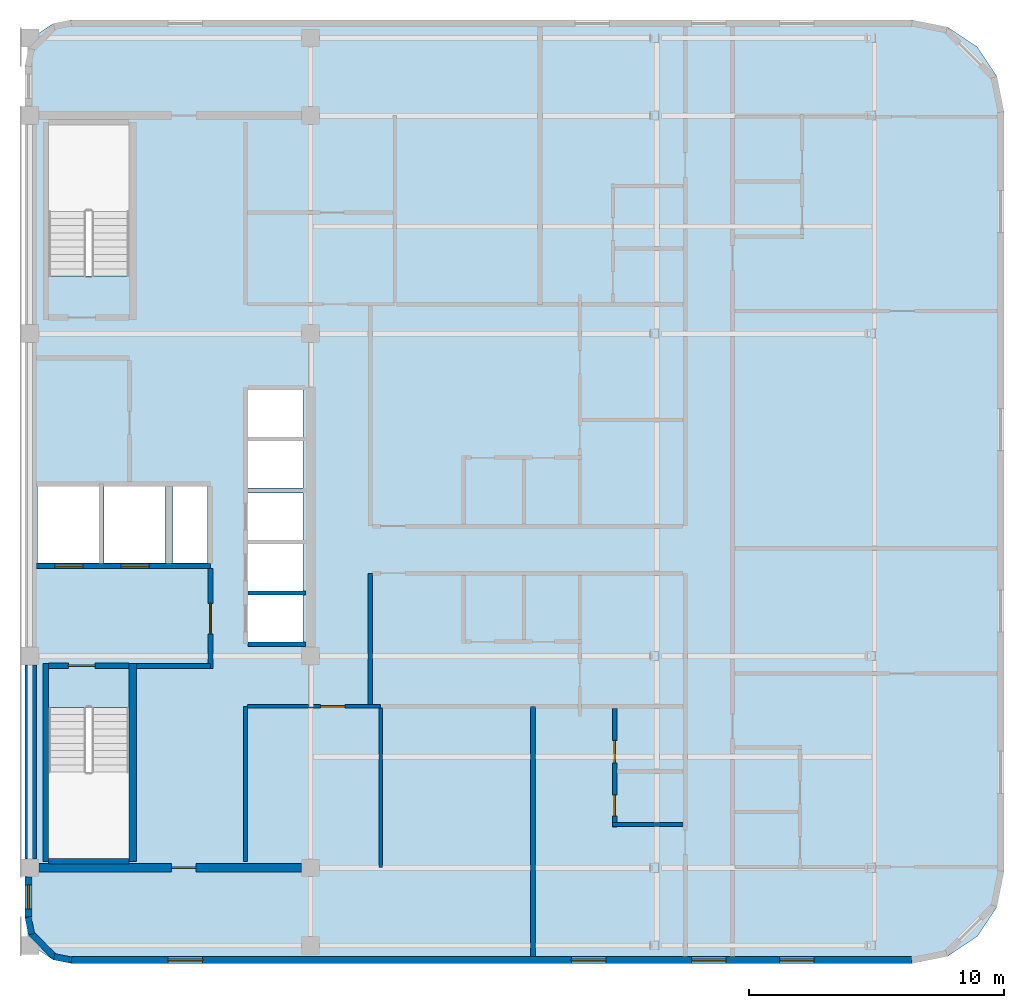
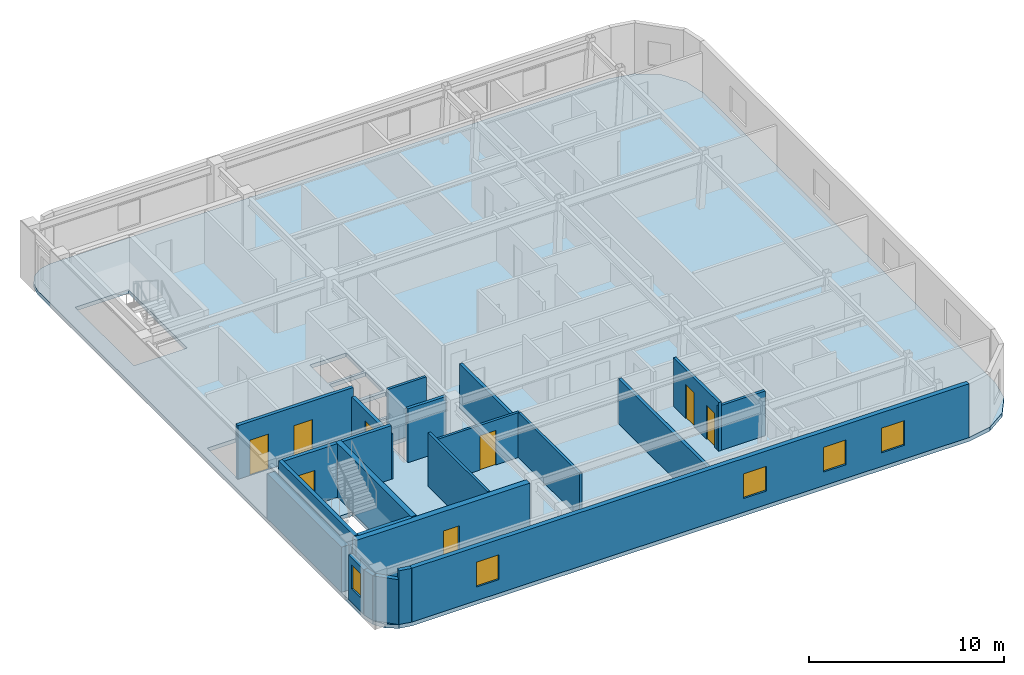
# One storey, part 2 of 6: 23 walls, 8 doors, 5 windows, 1 slab, 13 openings.
"""IFC4 building model written with IfcOpenShell, lengths in metres."""

from ifc_helpers import new_model, si_unit, direction, frame, frame_2d, origin, place, context, subcontext, project, spatial, polyline, rectangle, outline, extrude, material, layer, layer_set, type_object, element, fill, save


model = new_model("IFC4")

# Units and contexts
model_context = context("Model", 3, precision=1e-05, world=origin(), true_north=direction((0.0, 1.0)))
body_context = subcontext(model_context, "Body", "Model", "MODEL_VIEW")
ifc_project = project(units=[si_unit("LENGTHUNIT", "METRE"), si_unit("AREAUNIT", "SQUARE_METRE"), si_unit("VOLUMEUNIT", "CUBIC_METRE"), si_unit("PLANEANGLEUNIT", "RADIAN"), si_unit("MASSUNIT", "GRAM", prefix="KILO")], contexts=[model_context])

# Site, building, storey
site_placement = place(None, origin())
site = spatial("IfcSite", under=ifc_project, at=site_placement, CompositionType="ELEMENT")
building_placement = place(site_placement, origin())
building = spatial("IfcBuilding", under=site, at=building_placement, Name="Ochreholt Gables", CompositionType="ELEMENT")
storey_placement = place(building_placement, frame((0.0, 0.0, 249.60009765625)))
storey = spatial("IfcBuildingStorey", under=building, at=storey_placement, Name="L65", CompositionType="ELEMENT", Elevation=249.60009765625)

# Slab
ifc_material_1 = material(Name="Concrete 40 MPa", Category="concrete")
ifc_layer_1 = layer(ifc_material_1, 0.239990234375, Name="Concrete 40 MPa")
ifc_layer_set_1 = layer_set([ifc_layer_1], Name="Concrete 40 MPa")
slab_type = type_object("IfcSlabType", Name="SLAB-TWR-240", PredefinedType="FLOOR", material=ifc_layer_set_1)
slab_placement = place(storey_placement, frame((0.0, 0.0, -0.239990234375)))
element("IfcSlab", 1, at=slab_placement, inside=storey, type_object=slab_type, Name="L65 Structural Floor Slab", PredefinedType="FLOOR", context=body_context, shape_type="SweptSolid", body=[
    extrude(outline(polyline([(24.0, 7.300048828125), (24.136962890625, 6.611083984375), (24.527099609375, 6.027099609375), (25.111083984375, 5.636962890625), (25.800048828125, 5.5), (58.800048828125, 5.5), (60.177734375, 5.77392578125), (61.345703125, 6.554443359375), (62.1259765625, 7.722412109375), (62.39990234375, 9.10009765625), (62.39990234375, 38.89990234375), (62.1259765625, 40.277587890625), (61.345703125, 41.445556640625), (60.177734375, 42.22607421875), (58.800048828125, 42.5), (25.800048828125, 42.5), (25.111083984375, 42.363037109375), (24.527099609375, 41.972900390625), (24.136962890625, 41.388916015625), (24.0, 40.699951171875), (24.0, 7.300048828125)]), holes=[polyline([(24.919921875, 15.539306640625), (24.919921875, 9.52001953125), (28.080078125, 9.52001953125), (28.080078125, 15.539306640625), (24.919921875, 15.539306640625)]), polyline([(28.080078125, 32.460693359375), (28.080078125, 38.47998046875), (24.919921875, 38.47998046875), (24.919921875, 32.460693359375), (28.080078125, 32.460693359375)]), polyline([(24.5, 21.199951171875), (26.89990234375, 21.199951171875), (26.89990234375, 24.199951171875), (24.5, 24.199951171875), (24.5, 21.199951171875)]), polyline([(27.10009765625, 21.199951171875), (29.5, 21.199951171875), (29.5, 24.199951171875), (27.10009765625, 24.199951171875), (27.10009765625, 21.199951171875)]), polyline([(32.75, 18.10009765625), (34.89990234375, 18.10009765625), (34.89990234375, 19.949951171875), (32.75, 19.949951171875), (32.75, 18.10009765625)]), polyline([(32.75, 20.10009765625), (34.89990234375, 20.10009765625), (34.89990234375, 21.949951171875), (32.75, 21.949951171875), (32.75, 20.10009765625)]), polyline([(32.75, 22.10009765625), (34.89990234375, 22.10009765625), (34.89990234375, 23.949951171875), (32.75, 23.949951171875), (32.75, 22.10009765625)]), polyline([(32.75, 24.14990234375), (34.89990234375, 24.14990234375), (34.89990234375, 26.0), (32.75, 26.0), (32.75, 24.14990234375)]), polyline([(32.75, 26.14990234375), (34.89990234375, 26.14990234375), (34.89990234375, 28.0), (32.75, 28.0), (32.75, 26.14990234375)]), polyline([(29.800048828125, 21.199951171875), (31.14990234375, 21.199951171875), (31.14990234375, 24.199951171875), (29.800048828125, 24.199951171875), (29.800048828125, 21.199951171875)])]), origin(), (0.0, 0.0, 1.0), 0.239990234375),
])

# Wall, opening, door
ifc_material_2 = material(Name="Concrete 50 MPa", Category="concrete")
ifc_layer_2 = layer(ifc_material_2, 0.35009765625, Name="Concrete 50 MPa")
ifc_layer_set_2 = layer_set([ifc_layer_2], Name="Concrete 50 MPa")
wall_type_1 = type_object("IfcWallType", Name="WALL-CSW-350", PredefinedType="SHEAR", material=ifc_layer_set_2)
wall_1_placement = place(storey_placement, frame((24.550048828125, 9.25, 0.0), z_axis=(0.0, 0.0, 1.0), x_axis=(1.0, 0.0, 0.0)))
wall_1 = element("IfcWall", 2, at=wall_1_placement, inside=storey, type_object=wall_type_1, Name="L65 Core South Shear Wall", PredefinedType="SHEAR", context=body_context, shape_type="SweptSolid", body=[
    extrude(rectangle(XDim=10.300048828125, YDim=0.35009765625, at=frame_2d((5.14990234375, 0.0))), origin(), (0.0, 0.0, 1.0), 3.35986328125),
])
opening_1_placement = place(wall_1_placement, frame((5.199951171875, 0.0, 0.0)))
opening_1 = element("IfcOpeningElement", 3, at=opening_1_placement, cuts=wall_1, Name="Opening D-FL2", PredefinedType="OPENING", context=body_context, shape_type="SweptSolid", body=[
    extrude(rectangle(XDim=0.949951171875, YDim=2.14990234375, at=frame_2d((0.47509765625, 1.074951171875))), frame((0.0, 0.18505859375, 0.0), z_axis=(0.0, -1.0, 0.0), x_axis=(1.0, 0.0, 0.0)), (0.0, 0.0, 1.0), 0.3701171875),
])
ifc_material_3 = material(Name="Hollow Metal Steel", Category="steel")
door_type_1 = type_object("IfcDoorType", Name="DR-INT-FLB950", OperationType="NOTDEFINED", PredefinedType="DOOR", material=ifc_material_3)
door_1_placement = place(opening_1_placement, frame((0.949951171875, 0.0, 0.0), z_axis=(0.0, 0.0, 1.0), x_axis=(-1.0, 0.0, 0.0)))
door_1 = element("IfcDoor", 4, at=door_1_placement, inside=storey, type_object=door_type_1, Name="L65 Door D-C3SSL-L65", OperationType="SINGLE_SWING_LEFT", OverallHeight=2.14990234375, OverallWidth=0.949951171875, PredefinedType="DOOR", context=body_context, shape_type="SweptSolid", body=[
    extrude(rectangle(XDim=0.949951171875, YDim=2.14990234375, at=frame_2d((0.47509765625, 1.074951171875))), frame((0.0, 0.02490234375, 0.0), z_axis=(0.0, -1.0, 0.0), x_axis=(1.0, 0.0, 0.0)), (0.0, 0.0, 1.0), 0.050048828125),
])
fill(opening_1, door_1)

# Wall
ifc_layer_3 = layer(ifc_material_2, 0.449951171875, Name="Concrete 50 MPa")
ifc_layer_set_3 = layer_set([ifc_layer_3], Name="Concrete 50 MPa")
wall_type_2 = type_object("IfcWallType", Name="WALL-CSW-EXT", PredefinedType="SHEAR", material=ifc_layer_set_3)
wall_2_placement = place(storey_placement, frame((24.22509765625, 9.60009765625, 0.0), z_axis=(0.0, 0.0, 1.0), x_axis=(0.0, 1.0, 0.0)))
element("IfcWall", 5, at=wall_2_placement, inside=storey, type_object=wall_type_2, Name="L65 Core West Shear Wall WS", PredefinedType="SHEAR", context=body_context, shape_type="SweptSolid", body=[
    extrude(rectangle(XDim=7.599853515625, YDim=0.449951171875, at=frame_2d((3.7998046875, 0.0))), origin(), (0.0, 0.0, 1.0), 2.82080078125),
])

# Wall, openings, windows
ifc_material_4 = material(Name="Precast concrete 40 MPa", Category="concrete")
ifc_layer_4 = layer(ifc_material_4, 0.27001953125, Name="Precast concrete 40 MPa")
ifc_layer_set_4 = layer_set([ifc_layer_4], Name="Precast concrete 40 MPa")
wall_type_3 = type_object("IfcWallType", Name="WALL-EXT-270", PredefinedType="SOLIDWALL", material=ifc_layer_set_4)
wall_3_placement = place(storey_placement, frame((25.820068359375, 5.635009765625, 0.0), z_axis=(0.0, 0.0, 1.0), x_axis=(1.0, 0.0, 0.0)))
wall_3 = element("IfcWall", 6, at=wall_3_placement, inside=storey, type_object=wall_type_3, Name="L65 South Exterior Wall", PredefinedType="SOLIDWALL", context=body_context, shape_type="SweptSolid", body=[
    extrude(rectangle(XDim=32.9599609375, YDim=0.27001953125, at=frame_2d((16.47998046875, 0.0))), origin(), (0.0, 0.0, 1.0), 3.35986328125),
])
opening_2_placement = place(wall_3_placement, frame((3.794921875, 0.0, 0.85009765625)))
opening_2 = element("IfcOpeningElement", 7, at=opening_2_placement, cuts=wall_3, Name="Opening WN-8", PredefinedType="OPENING", context=body_context, shape_type="SweptSolid", body=[
    extrude(rectangle(XDim=1.35009765625, YDim=1.550048828125, at=frame_2d((0.675048828125, 0.77490234375))), frame((0.0, 0.14501953125, 0.0), z_axis=(0.0, -1.0, 0.0), x_axis=(1.0, 0.0, 0.0)), (0.0, 0.0, 1.0), 0.2900390625),
])
opening_3_placement = place(wall_3_placement, frame((19.614990234375, 0.0, 0.85009765625)))
opening_3 = element("IfcOpeningElement", 8, at=opening_3_placement, cuts=wall_3, Name="Opening WN-8", PredefinedType="OPENING", context=body_context, shape_type="SweptSolid", body=[
    extrude(rectangle(XDim=1.35009765625, YDim=1.550048828125, at=frame_2d((0.675048828125, 0.77490234375))), frame((0.0, 0.14501953125, 0.0), z_axis=(0.0, -1.0, 0.0), x_axis=(1.0, 0.0, 0.0)), (0.0, 0.0, 1.0), 0.2900390625),
])
opening_4_placement = place(wall_3_placement, frame((24.330078125, 0.0, 0.85009765625)))
opening_4 = element("IfcOpeningElement", 9, at=opening_4_placement, cuts=wall_3, Name="Opening WN-8", PredefinedType="OPENING", context=body_context, shape_type="SweptSolid", body=[
    extrude(rectangle(XDim=1.35009765625, YDim=1.550048828125, at=frame_2d((0.675048828125, 0.77490234375))), frame((0.0, 0.14501953125, 0.0), z_axis=(0.0, -1.0, 0.0), x_axis=(1.0, 0.0, 0.0)), (0.0, 0.0, 1.0), 0.2900390625),
])
opening_5_placement = place(wall_3_placement, frame((27.779052734375, 0.0, 0.85009765625)))
opening_5 = element("IfcOpeningElement", 10, at=opening_5_placement, cuts=wall_3, Name="Opening WN-8", PredefinedType="OPENING", context=body_context, shape_type="SweptSolid", body=[
    extrude(rectangle(XDim=1.35009765625, YDim=1.550048828125, at=frame_2d((0.675048828125, 0.77490234375))), frame((0.0, 0.14501953125, 0.0), z_axis=(0.0, -1.0, 0.0), x_axis=(1.0, 0.0, 0.0)), (0.0, 0.0, 1.0), 0.2900390625),
])
ifc_material_5 = material(Name="Triple-Glazed Thermally Broken Aluminium Window", Category="aluminium")
window_type_1 = type_object("IfcWindowType", Name="WIN-RES-1350", PartitioningType="SINGLE_PANEL", PredefinedType="WINDOW", material=ifc_material_5)
window_1_placement = place(opening_2_placement, origin())
window_1 = element("IfcWindow", 11, at=window_1_placement, inside=storey, type_object=window_type_1, Name="L65 Window W-EXT-S-L65-1", OverallHeight=1.550048828125, OverallWidth=1.35009765625, PartitioningType="SINGLE_PANEL", PredefinedType="WINDOW", context=body_context, shape_type="SweptSolid", body=[
    extrude(rectangle(XDim=1.35009765625, YDim=1.550048828125, at=frame_2d((0.675048828125, 0.77490234375))), frame((0.0, 0.030029296875, 0.0), z_axis=(0.0, -1.0, 0.0), x_axis=(1.0, 0.0, 0.0)), (0.0, 0.0, 1.0), 0.06005859375),
])
fill(opening_2, window_1)
window_2_placement = place(opening_3_placement, origin())
window_2 = element("IfcWindow", 12, at=window_2_placement, inside=storey, type_object=window_type_1, Name="L65 Window W-EXT-S-L65-2", OverallHeight=1.550048828125, OverallWidth=1.35009765625, PartitioningType="SINGLE_PANEL", PredefinedType="WINDOW", context=body_context, shape_type="SweptSolid", body=[
    extrude(rectangle(XDim=1.35009765625, YDim=1.550048828125, at=frame_2d((0.675048828125, 0.77490234375))), frame((0.0, 0.030029296875, 0.0), z_axis=(0.0, -1.0, 0.0), x_axis=(1.0, 0.0, 0.0)), (0.0, 0.0, 1.0), 0.06005859375),
])
fill(opening_3, window_2)
window_3_placement = place(opening_4_placement, origin())
window_3 = element("IfcWindow", 13, at=window_3_placement, inside=storey, type_object=window_type_1, Name="L65 Window W-EXT-S-L65-3", OverallHeight=1.550048828125, OverallWidth=1.35009765625, PartitioningType="SINGLE_PANEL", PredefinedType="WINDOW", context=body_context, shape_type="SweptSolid", body=[
    extrude(rectangle(XDim=1.35009765625, YDim=1.550048828125, at=frame_2d((0.675048828125, 0.77490234375))), frame((0.0, 0.030029296875, 0.0), z_axis=(0.0, -1.0, 0.0), x_axis=(1.0, 0.0, 0.0)), (0.0, 0.0, 1.0), 0.06005859375),
])
fill(opening_4, window_3)
window_4_placement = place(opening_5_placement, origin())
window_4 = element("IfcWindow", 14, at=window_4_placement, inside=storey, type_object=window_type_1, Name="L65 Window W-EXT-S-L65-4", OverallHeight=1.550048828125, OverallWidth=1.35009765625, PartitioningType="SINGLE_PANEL", PredefinedType="WINDOW", context=body_context, shape_type="SweptSolid", body=[
    extrude(rectangle(XDim=1.35009765625, YDim=1.550048828125, at=frame_2d((0.675048828125, 0.77490234375))), frame((0.0, 0.030029296875, 0.0), z_axis=(0.0, -1.0, 0.0), x_axis=(1.0, 0.0, 0.0)), (0.0, 0.0, 1.0), 0.06005859375),
])
fill(opening_5, window_4)

# Wall, opening, window
wall_4_placement = place(storey_placement, frame((24.135009765625, 7.320068359375, 0.0), z_axis=(0.0, 0.0, 1.0), x_axis=(0.0, 1.0, 0.0)))
wall_4 = element("IfcWall", 15, at=wall_4_placement, inside=storey, type_object=wall_type_3, Name="L65 West Facade South Bay Wall", PredefinedType="SOLIDWALL", context=body_context, shape_type="SweptSolid", body=[
    extrude(rectangle(XDim=1.559814453125, YDim=0.27001953125, at=frame_2d((0.77978515625, 0.0))), origin(), (0.0, 0.0, 1.0), 2.802978515625),
])
opening_6_placement = place(wall_4_placement, frame((0.304931640625, 0.0, 0.85009765625)))
opening_6 = element("IfcOpeningElement", 16, at=opening_6_placement, cuts=wall_4, Name="Opening WN-10", PredefinedType="OPENING", context=body_context, shape_type="SweptSolid", body=[
    extrude(rectangle(XDim=0.949951171875, YDim=1.5, at=frame_2d((0.47509765625, 0.75))), frame((0.0, 0.14501953125, 0.0), z_axis=(0.0, -1.0, 0.0), x_axis=(1.0, 0.0, 0.0)), (0.0, 0.0, 1.0), 0.2900390625),
])
window_type_2 = type_object("IfcWindowType", Name="WIN-RES-950", PartitioningType="SINGLE_PANEL", PredefinedType="WINDOW", material=ifc_material_5)
window_5_placement = place(opening_6_placement, origin())
window_5 = element("IfcWindow", 17, at=window_5_placement, inside=storey, type_object=window_type_2, Name="L65 South Sky Lounge West Window", OverallHeight=1.5, OverallWidth=0.949951171875, PartitioningType="SINGLE_PANEL", PredefinedType="WINDOW", context=body_context, shape_type="SweptSolid", body=[
    extrude(rectangle(XDim=0.949951171875, YDim=1.5, at=frame_2d((0.47509765625, 0.75))), frame((0.0, 0.030029296875, 0.0), z_axis=(0.0, -1.0, 0.0), x_axis=(1.0, 0.0, 0.0)), (0.0, 0.0, 1.0), 0.06005859375),
])
fill(opening_6, window_5)

# Walls
ifc_layer_5 = layer(ifc_material_4, 0.25, Name="Precast concrete 40 MPa")
ifc_layer_set_5 = layer_set([ifc_layer_5], Name="Precast concrete 40 MPa")
wall_type_4 = type_object("IfcWallType", Name="WALL-EXT-CNR", PredefinedType="SOLIDWALL", material=ifc_layer_set_5)
wall_5_placement = place(storey_placement, frame((24.124267578125, 7.31640625, 0.0), z_axis=(0.0, 0.0, 1.0), x_axis=(0.194952956674, -0.980812594069, 0.0)))
element("IfcWall", 18, at=wall_5_placement, inside=storey, type_object=wall_type_4, Name="L65 Rounded Corner Wall SW-1", PredefinedType="SOLIDWALL", context=body_context, shape_type="SweptSolid", body=[
    extrude(rectangle(XDim=0.686279296875, YDim=0.25, at=frame_2d((0.34326171875, 0.0))), origin(), (0.0, 0.0, 1.0), 2.802978515625),
])
wall_6_placement = place(storey_placement, frame((24.23095703125, 6.69384765625, 0.0), z_axis=(0.0, 0.0, 1.0), x_axis=(0.707106781187, -0.707106781187, 0.0)))
element("IfcWall", 19, at=wall_6_placement, inside=storey, type_object=wall_type_4, Name="L65 Rounded Corner Wall SW-2", PredefinedType="SOLIDWALL", context=body_context, shape_type="SweptSolid", body=[
    extrude(rectangle(XDim=1.36181640625, YDim=0.25, at=frame_2d((0.680908203125, 0.0))), origin(), (0.0, 0.0, 1.0), 2.802978515625),
])
wall_7_placement = place(storey_placement, frame((25.143310546875, 5.758056640625, 0.0), z_axis=(0.0, 0.0, 1.0), x_axis=(0.980812594069, -0.194952956674, 0.0)))
element("IfcWall", 20, at=wall_7_placement, inside=storey, type_object=wall_type_4, Name="L65 Rounded Corner Wall SW-3", PredefinedType="SOLIDWALL", context=body_context, shape_type="SweptSolid", body=[
    extrude(rectangle(XDim=0.686279296875, YDim=0.25, at=frame_2d((0.34326171875, 0.0))), origin(), (0.0, 0.0, 1.0), 3.35986328125),
])

# Wall, openings, doors
ifc_layer_6 = layer(ifc_material_1, 0.199951171875, Name="Concrete 40 MPa")
ifc_layer_set_6 = layer_set([ifc_layer_6], Name="Concrete 40 MPa")
wall_type_5 = type_object("IfcWallType", Name="WALL-INT-CF200", PredefinedType="STANDARD", material=ifc_layer_set_6)
wall_8_placement = place(storey_placement, frame((24.449951171875, 21.090087890625, 0.0), z_axis=(0.0, 0.0, 1.0), x_axis=(1.0, 0.0, 0.0)))
wall_8 = element("IfcWall", 21, at=wall_8_placement, inside=storey, type_object=wall_type_5, Name="L65 Interior Wall WI-FFN-L65", PredefinedType="STANDARD", context=body_context, shape_type="SweptSolid", body=[
    extrude(rectangle(XDim=6.830078125, YDim=0.199951171875, at=frame_2d((3.4150390625, 0.0))), origin(), (0.0, 0.0, 1.0), 3.35986328125),
])
opening_7_placement = place(wall_8_placement, frame((0.719970703125, 0.0, 0.0)))
opening_7 = element("IfcOpeningElement", 22, at=opening_7_placement, cuts=wall_8, Name="Opening LD-FF", PredefinedType="OPENING", context=body_context, shape_type="SweptSolid", body=[
    extrude(rectangle(XDim=1.10009765625, YDim=2.199951171875, at=frame_2d((0.550048828125, 1.10009765625))), frame((0.0, 0.10986328125, 0.0), z_axis=(0.0, -1.0, 0.0), x_axis=(1.0, 0.0, 0.0)), (0.0, 0.0, 1.0), 0.219970703125),
])
opening_8_placement = place(wall_8_placement, frame((3.320068359375, 0.0, 0.0)))
opening_8 = element("IfcOpeningElement", 23, at=opening_8_placement, cuts=wall_8, Name="Opening LD-FF", PredefinedType="OPENING", context=body_context, shape_type="SweptSolid", body=[
    extrude(rectangle(XDim=1.10009765625, YDim=2.199951171875, at=frame_2d((0.550048828125, 1.10009765625))), frame((0.0, 0.10986328125, 0.0), z_axis=(0.0, -1.0, 0.0), x_axis=(1.0, 0.0, 0.0)), (0.0, 0.0, 1.0), 0.219970703125),
])
ifc_material_6 = material(Name="Stainless Steel", Category="steel")
door_type_2 = type_object("IfcDoorType", Name="DR-LFT-FF1100", OperationType="NOTDEFINED", PredefinedType="DOOR", material=ifc_material_6)
door_2_placement = place(opening_7_placement, origin())
door_2 = element("IfcDoor", 24, at=door_2_placement, inside=storey, type_object=door_type_2, Name="L65 Door LD-FF1-L65", OperationType="SLIDING_TO_LEFT", OverallHeight=2.199951171875, OverallWidth=1.10009765625, PredefinedType="DOOR", context=body_context, shape_type="SweptSolid", body=[
    extrude(rectangle(XDim=1.10009765625, YDim=2.199951171875, at=frame_2d((0.550048828125, 1.10009765625))), frame((0.0, 0.02490234375, 0.0), z_axis=(0.0, -1.0, 0.0), x_axis=(1.0, 0.0, 0.0)), (0.0, 0.0, 1.0), 0.050048828125),
])
fill(opening_7, door_2)
door_3_placement = place(opening_8_placement, origin())
door_3 = element("IfcDoor", 25, at=door_3_placement, inside=storey, type_object=door_type_2, Name="L65 Door LD-FF2-L65", OperationType="SLIDING_TO_LEFT", OverallHeight=2.199951171875, OverallWidth=1.10009765625, PredefinedType="DOOR", context=body_context, shape_type="SweptSolid", body=[
    extrude(rectangle(XDim=1.10009765625, YDim=2.199951171875, at=frame_2d((0.550048828125, 1.10009765625))), frame((0.0, 0.02490234375, 0.0), z_axis=(0.0, -1.0, 0.0), x_axis=(1.0, 0.0, 0.0)), (0.0, 0.0, 1.0), 0.050048828125),
])
fill(opening_8, door_3)

# Wall
wall_9_placement = place(storey_placement, frame((28.3798828125, 17.169921875, 0.0), z_axis=(0.0, 0.0, 1.0), x_axis=(1.0, 0.0, 0.0)))
element("IfcWall", 26, at=wall_9_placement, inside=storey, type_object=wall_type_5, Name="L65 Interior Wall WI-FFS-L65", PredefinedType="STANDARD", context=body_context, shape_type="SweptSolid", body=[
    extrude(rectangle(XDim=2.900146484375, YDim=0.199951171875, at=frame_2d((1.4501953125, 0.0))), origin(), (0.0, 0.0, 1.0), 3.35986328125),
])

# Wall, opening, door
wall_10_placement = place(storey_placement, frame((31.280029296875, 17.070068359375, 0.0), z_axis=(0.0, 0.0, 1.0), x_axis=(0.0, 1.0, 0.0)))
wall_10 = element("IfcWall", 27, at=wall_10_placement, inside=storey, type_object=wall_type_5, Name="L65 Interior Wall WI-FFE-L65", PredefinedType="STANDARD", context=body_context, shape_type="SweptSolid", body=[
    extrude(rectangle(XDim=3.919921875, YDim=0.199951171875, at=frame_2d((1.9599609375, 0.0))), origin(), (0.0, 0.0, 1.0), 2.802978515625),
])
opening_9_placement = place(wall_10_placement, frame((1.35009765625, 0.0, 0.0)))
opening_9 = element("IfcOpeningElement", 28, at=opening_9_placement, cuts=wall_10, Name="Opening D-FFL", PredefinedType="OPENING", context=body_context, shape_type="SweptSolid", body=[
    extrude(rectangle(XDim=1.199951171875, YDim=2.14990234375, at=frame_2d((0.60009765625, 1.074951171875))), frame((0.0, 0.10986328125, 0.0), z_axis=(0.0, -1.0, 0.0), x_axis=(1.0, 0.0, 0.0)), (0.0, 0.0, 1.0), 0.219970703125),
])
door_type_3 = type_object("IfcDoorType", Name="DR-INT-FFL1200", OperationType="NOTDEFINED", PredefinedType="DOOR", material=ifc_material_3)
door_4_placement = place(opening_9_placement, origin())
door_4 = element("IfcDoor", 29, at=door_4_placement, inside=storey, type_object=door_type_3, Name="L65 Door D-FFL-L65", OperationType="SINGLE_SWING_LEFT", OverallHeight=2.14990234375, OverallWidth=1.199951171875, PredefinedType="DOOR", context=body_context, shape_type="SweptSolid", body=[
    extrude(rectangle(XDim=1.199951171875, YDim=2.14990234375, at=frame_2d((0.60009765625, 1.074951171875))), frame((0.0, 0.02490234375, 0.0), z_axis=(0.0, -1.0, 0.0), x_axis=(1.0, 0.0, 0.0)), (0.0, 0.0, 1.0), 0.050048828125),
])
fill(opening_9, door_4)

# Walls
ifc_material_7 = material(Name="Fire-Rated Gypsum Acoustic Partition", Category="gypsum")
ifc_layer_7 = layer(ifc_material_7, 0.179931640625, Name="Fire-Rated Gypsum Acoustic Partition")
ifc_layer_set_7 = layer_set([ifc_layer_7], Name="Fire-Rated Gypsum Acoustic Partition")
wall_type_6 = type_object("IfcWallType", Name="WALL-INT-CR180", PredefinedType="STANDARD", material=ifc_layer_set_7)
wall_11_placement = place(storey_placement, frame((37.550048828125, 15.652587890625, 0.0), z_axis=(0.0, 0.0, 1.0), x_axis=(0.0, 1.0, 0.0)))
element("IfcWall", 30, at=wall_11_placement, inside=storey, type_object=wall_type_6, Name="L65 Interior Wall WI-C3CE0-L65", PredefinedType="STANDARD", context=body_context, shape_type="SweptSolid", body=[
    extrude(rectangle(XDim=5.1474609375, YDim=0.179931640625, at=frame_2d((2.57373046875, 0.0))), origin(), (0.0, 0.0, 1.0), 2.802978515625),
])
ifc_material_8 = material(Name="Double-Stud Acoustic Demising Wall", Category="gypsum")
ifc_layer_8 = layer(ifc_material_8, 0.18505859375, Name="Double-Stud Acoustic Demising Wall")
ifc_layer_set_8 = layer_set([ifc_layer_8], Name="Double-Stud Acoustic Demising Wall")
wall_type_7 = type_object("IfcWallType", Name="WALL-INT-DM185", PredefinedType="PARTITIONING", material=ifc_layer_set_8)
wall_12_placement = place(storey_placement, frame((43.925048828125, 5.77001953125, 0.0), z_axis=(0.0, 0.0, 1.0), x_axis=(0.0, 1.0, 0.0)))
element("IfcWall", 31, at=wall_12_placement, inside=storey, type_object=wall_type_7, Name="L65 Interior Wall WI-C3SMX-L65", PredefinedType="PARTITIONING", context=body_context, shape_type="SweptSolid", body=[
    extrude(rectangle(XDim=9.81005859375, YDim=0.18505859375, at=frame_2d((4.905029296875, 0.0))), origin(), (0.0, 0.0, 1.0), 2.802978515625),
])
ifc_material_9 = material(Name="Moisture-Resistant Plumbing Chase Wall", Category="gypsum")
ifc_layer_9 = layer(ifc_material_9, 0.159912109375, Name="Moisture-Resistant Plumbing Chase Wall")
ifc_layer_set_9 = layer_set([ifc_layer_9], Name="Moisture-Resistant Plumbing Chase Wall")
wall_type_8 = type_object("IfcWallType", Name="WALL-INT-PL160", PredefinedType="PLUMBINGWALL", material=ifc_layer_set_9)
wall_13_placement = place(storey_placement, frame((47.052001953125, 10.93994140625, 0.0), z_axis=(0.0, 0.0, 1.0), x_axis=(1.0, 0.0, 0.0)))
element("IfcWall", 32, at=wall_13_placement, inside=storey, type_object=wall_type_8, Name="L65 Interior Wall WU-L65SM1-WYS", PredefinedType="PLUMBINGWALL", context=body_context, shape_type="SweptSolid", body=[
    extrude(rectangle(XDim=2.758056640625, YDim=0.159912109375, at=frame_2d((1.37890625, 0.0))), origin(), (0.0, 0.0, 1.0), 2.802978515625),
])

# Wall, openings, doors
wall_14_placement = place(storey_placement, frame((47.132080078125, 10.85009765625, 0.0), z_axis=(0.0, 0.0, 1.0), x_axis=(0.0, 1.0, 0.0)))
wall_14 = element("IfcWall", 33, at=wall_14_placement, inside=storey, type_object=wall_type_8, Name="L65 Interior Wall WU-L65SM1-WX", PredefinedType="PLUMBINGWALL", context=body_context, shape_type="SweptSolid", body=[
    extrude(rectangle(XDim=4.637451171875, YDim=0.159912109375, at=frame_2d((2.31884765625, 0.0))), origin(), (0.0, 0.0, 1.0), 3.038818359375),
])
opening_10_placement = place(wall_14_placement, frame((0.419921875, 0.0, 0.0)))
opening_10 = element("IfcOpeningElement", 34, at=opening_10_placement, cuts=wall_14, Name="Opening D-BT2", PredefinedType="OPENING", context=body_context, shape_type="SweptSolid", body=[
    extrude(rectangle(XDim=0.840087890625, YDim=2.1201171875, at=frame_2d((0.419921875, 1.06005859375))), frame((0.0, 0.08984375, 0.0), z_axis=(0.0, -1.0, 0.0), x_axis=(1.0, 0.0, 0.0)), (0.0, 0.0, 1.0), 0.179931640625),
])
opening_11_placement = place(wall_14_placement, frame((2.512939453125, 0.0, 0.0)))
opening_11 = element("IfcOpeningElement", 35, at=opening_11_placement, cuts=wall_14, Name="Opening D-GN2", PredefinedType="OPENING", context=body_context, shape_type="SweptSolid", body=[
    extrude(rectangle(XDim=0.8798828125, YDim=2.1201171875, at=frame_2d((0.43994140625, 1.06005859375))), frame((0.0, 0.08984375, 0.0), z_axis=(0.0, -1.0, 0.0), x_axis=(1.0, 0.0, 0.0)), (0.0, 0.0, 1.0), 0.179931640625),
])
ifc_material_10 = material(Name="Engineered Oak Timber", Category="wood")
door_type_4 = type_object("IfcDoorType", Name="DR-INT-BTH840", OperationType="NOTDEFINED", PredefinedType="DOOR", material=ifc_material_10)
door_5_placement = place(opening_10_placement, origin())
door_5 = element("IfcDoor", 36, at=door_5_placement, inside=storey, type_object=door_type_4, Name="L65 Door D-U-L65SM1-BTH", OperationType="SINGLE_SWING_LEFT", OverallHeight=2.1201171875, OverallWidth=0.840087890625, PredefinedType="DOOR", context=body_context, shape_type="SweptSolid", body=[
    extrude(rectangle(XDim=0.840087890625, YDim=2.1201171875, at=frame_2d((0.419921875, 1.06005859375))), frame((0.0, 0.02490234375, 0.0), z_axis=(0.0, -1.0, 0.0), x_axis=(1.0, 0.0, 0.0)), (0.0, 0.0, 1.0), 0.050048828125),
])
fill(opening_10, door_5)
door_type_5 = type_object("IfcDoorType", Name="DR-INT-GEN880", OperationType="NOTDEFINED", PredefinedType="DOOR", material=ifc_material_10)
door_6_placement = place(opening_11_placement, origin())
door_6 = element("IfcDoor", 37, at=door_6_placement, inside=storey, type_object=door_type_5, Name="L65 Door D-U-L65SM1-KIT", OperationType="SINGLE_SWING_RIGHT", OverallHeight=2.1201171875, OverallWidth=0.8798828125, PredefinedType="DOOR", context=body_context, shape_type="SweptSolid", body=[
    extrude(rectangle(XDim=0.8798828125, YDim=2.1201171875, at=frame_2d((0.43994140625, 1.06005859375))), frame((0.0, 0.02490234375, 0.0), z_axis=(0.0, -1.0, 0.0), x_axis=(1.0, 0.0, 0.0)), (0.0, 0.0, 1.0), 0.050048828125),
])
fill(opening_11, door_6)

# Wall
ifc_material_11 = material(Name="Lightweight Stud Partition", Category="gypsum")
ifc_layer_10 = layer(ifc_material_11, 0.14501953125, Name="Lightweight Stud Partition")
ifc_layer_set_10 = layer_set([ifc_layer_10], Name="Lightweight Stud Partition")
wall_type_9 = type_object("IfcWallType", Name="WALL-INT-PT145", PredefinedType="PARTITIONING", material=ifc_layer_set_10)
wall_15_placement = place(storey_placement, frame((32.64990234375, 9.5, 0.0), z_axis=(0.0, 0.0, 1.0), x_axis=(0.0, 1.0, 0.0)))
element("IfcWall", 38, at=wall_15_placement, inside=storey, type_object=wall_type_9, Name="L65 Interior Wall WI-RCL-W-L65", PredefinedType="PARTITIONING", context=body_context, shape_type="SweptSolid", body=[
    extrude(rectangle(XDim=6.080078125, YDim=0.14501953125, at=frame_2d((3.0400390625, 0.0))), origin(), (0.0, 0.0, 1.0), 3.35986328125),
])

# Wall, opening, door
wall_16_placement = place(storey_placement, frame((32.722412109375, 15.580078125, 0.0), z_axis=(0.0, 0.0, 1.0), x_axis=(1.0, 0.0, 0.0)))
wall_16 = element("IfcWall", 39, at=wall_16_placement, inside=storey, type_object=wall_type_9, Name="L65 Interior Wall WI-RCL-N-L65", PredefinedType="PARTITIONING", context=body_context, shape_type="SweptSolid", body=[
    extrude(rectangle(XDim=5.2275390625, YDim=0.14501953125, at=frame_2d((2.61376953125, 0.0))), origin(), (0.0, 0.0, 1.0), 2.802978515625),
])
opening_12_placement = place(wall_16_placement, frame((2.87744140625, 0.0, 0.0)))
opening_12 = element("IfcOpeningElement", 40, at=opening_12_placement, cuts=wall_16, Name="Opening D-GN1", PredefinedType="OPENING", context=body_context, shape_type="SweptSolid", body=[
    extrude(rectangle(XDim=0.949951171875, YDim=2.14990234375, at=frame_2d((0.47509765625, 1.074951171875))), frame((0.0, 0.08251953125, 0.0), z_axis=(0.0, -1.0, 0.0), x_axis=(1.0, 0.0, 0.0)), (0.0, 0.0, 1.0), 0.1650390625),
])
door_type_6 = type_object("IfcDoorType", Name="DR-INT-GEN950", OperationType="NOTDEFINED", PredefinedType="DOOR", material=ifc_material_10)
door_7_placement = place(opening_12_placement, origin())
door_7 = element("IfcDoor", 41, at=door_7_placement, inside=storey, type_object=door_type_6, Name="L65 Door D-RCL-L65", OperationType="SINGLE_SWING_LEFT", OverallHeight=2.14990234375, OverallWidth=0.949951171875, PredefinedType="DOOR", context=body_context, shape_type="SweptSolid", body=[
    extrude(rectangle(XDim=0.949951171875, YDim=2.14990234375, at=frame_2d((0.47509765625, 1.074951171875))), frame((0.0, 0.02490234375, 0.0), z_axis=(0.0, -1.0, 0.0), x_axis=(1.0, 0.0, 0.0)), (0.0, 0.0, 1.0), 0.050048828125),
])
fill(opening_12, door_7)

# Walls
wall_17_placement = place(storey_placement, frame((37.949951171875, 9.25, 0.0), z_axis=(0.0, 0.0, 1.0), x_axis=(0.0, 1.0, 0.0)))
element("IfcWall", 42, at=wall_17_placement, inside=storey, type_object=wall_type_9, Name="L65 Interior Wall WI-RCL-E-L65", PredefinedType="PARTITIONING", context=body_context, shape_type="SweptSolid", body=[
    extrude(rectangle(XDim=6.257568359375, YDim=0.14501953125, at=frame_2d((3.12890625, 0.0))), origin(), (0.0, 0.0, 1.0), 2.802978515625),
])
ifc_material_12 = material(Name="Gypsum Shaftliner and Steel Stud", Category="steel")
ifc_layer_11 = layer(ifc_material_12, 0.14990234375, Name="Gypsum Shaftliner and Steel Stud")
ifc_layer_set_11 = layer_set([ifc_layer_11], Name="Gypsum Shaftliner and Steel Stud")
wall_type_10 = type_object("IfcWallType", Name="WALL-INT-SH150", PredefinedType="STANDARD", material=ifc_layer_set_11)
wall_18_placement = place(storey_placement, frame((32.739990234375, 20.02001953125, 0.0), z_axis=(0.0, 0.0, 1.0), x_axis=(1.0, 0.0, 0.0)))
element("IfcWall", 43, at=wall_18_placement, inside=storey, type_object=wall_type_10, Name="L65 Interior Wall WI-LFHE-DH1-L65", PredefinedType="STANDARD", context=body_context, shape_type="SweptSolid", body=[
    extrude(rectangle(XDim=2.260009765625, YDim=0.14990234375, at=frame_2d((1.1298828125, 0.0))), origin(), (0.0, 0.0, 1.0), 3.35986328125),
])
ifc_layer_12 = layer(ifc_material_12, 0.179931640625, Name="Gypsum Shaftliner and Steel Stud")
ifc_layer_set_12 = layer_set([ifc_layer_12], Name="Gypsum Shaftliner and Steel Stud")
wall_type_11 = type_object("IfcWallType", Name="WALL-INT-SH180", PredefinedType="STANDARD", material=ifc_layer_set_12)
wall_19_placement = place(storey_placement, frame((32.739990234375, 18.02001953125, 0.0), z_axis=(0.0, 0.0, 1.0), x_axis=(1.0, 0.0, 0.0)))
element("IfcWall", 44, at=wall_19_placement, inside=storey, type_object=wall_type_11, Name="L65 Interior Wall WI-LFHE-S-L65", PredefinedType="STANDARD", context=body_context, shape_type="SweptSolid", body=[
    extrude(rectangle(XDim=2.260009765625, YDim=0.179931640625, at=frame_2d((1.1298828125, 0.0))), origin(), (0.0, 0.0, 1.0), 3.35986328125),
])
ifc_material_13 = material(Name="Concrete 60 MPa", Category="concrete")
ifc_layer_13 = layer(ifc_material_13, 0.300048828125, Name="Concrete 60 MPa")
ifc_layer_set_13 = layer_set([ifc_layer_13], Name="Concrete 60 MPa")
wall_type_12 = type_object("IfcWallType", Name="WALL-SPN-300", PredefinedType="SHEAR", material=ifc_layer_set_13)
wall_20_placement = place(storey_placement, frame((28.22998046875, 9.5, 0.0), z_axis=(0.0, 0.0, 1.0), x_axis=(0.0, 1.0, 0.0)))
element("IfcWall", 45, at=wall_20_placement, inside=storey, type_object=wall_type_12, Name="L65 Core South Spine Shear Wall", PredefinedType="SHEAR", context=body_context, shape_type="SweptSolid", body=[
    extrude(rectangle(XDim=7.760009765625, YDim=0.300048828125, at=frame_2d((3.8798828125, 0.0))), origin(), (0.0, 0.0, 1.0), 3.35986328125),
])
ifc_layer_14 = layer(ifc_material_2, 0.219970703125, Name="Concrete 50 MPa")
ifc_layer_set_14 = layer_set([ifc_layer_14], Name="Concrete 50 MPa")
wall_type_13 = type_object("IfcWallType", Name="WALL-STW-220", PredefinedType="SHEAR", material=ifc_layer_set_14)
wall_21_placement = place(storey_placement, frame((24.81005859375, 9.5, 0.0), z_axis=(0.0, 0.0, 1.0), x_axis=(0.0, 1.0, 0.0)))
element("IfcWall", 46, at=wall_21_placement, inside=storey, type_object=wall_type_13, Name="L65 Exit Stair 1 West Wall", PredefinedType="SHEAR", context=body_context, shape_type="SweptSolid", body=[
    extrude(rectangle(XDim=7.760009765625, YDim=0.219970703125, at=frame_2d((3.8798828125, 0.0))), origin(), (0.0, 0.0, 1.0), 3.35986328125),
])
wall_22_placement = place(storey_placement, frame((24.919921875, 9.510009765625, 0.0), z_axis=(0.0, 0.0, 1.0), x_axis=(1.0, 0.0, 0.0)))
element("IfcWall", 47, at=wall_22_placement, inside=storey, type_object=wall_type_13, Name="L65 Exit Stair 1 South Wall", PredefinedType="SHEAR", context=body_context, shape_type="SweptSolid", body=[
    extrude(rectangle(XDim=3.16015625, YDim=0.219970703125, at=frame_2d((1.580078125, 0.0))), origin(), (0.0, 0.0, 1.0), 3.35986328125),
])

# Wall, opening, door
wall_23_placement = place(storey_placement, frame((24.919921875, 17.169921875, 0.0), z_axis=(0.0, 0.0, 1.0), x_axis=(1.0, 0.0, 0.0)))
wall_23 = element("IfcWall", 48, at=wall_23_placement, inside=storey, type_object=wall_type_13, Name="L65 Exit Stair 1 North Wall", PredefinedType="SHEAR", context=body_context, shape_type="SweptSolid", body=[
    extrude(rectangle(XDim=3.16015625, YDim=0.219970703125, at=frame_2d((1.580078125, 0.0))), origin(), (0.0, 0.0, 1.0), 3.35986328125),
])
opening_13_placement = place(wall_23_placement, frame((0.780029296875, 0.0, 0.0)))
opening_13 = element("IfcOpeningElement", 49, at=opening_13_placement, cuts=wall_23, Name="Opening D-STC", PredefinedType="OPENING", context=body_context, shape_type="SweptSolid", body=[
    extrude(rectangle(XDim=1.050048828125, YDim=2.14990234375, at=frame_2d((0.52490234375, 1.074951171875))), frame((0.0, 0.119873046875, 0.0), z_axis=(0.0, -1.0, 0.0), x_axis=(1.0, 0.0, 0.0)), (0.0, 0.0, 1.0), 0.239990234375),
])
door_type_7 = type_object("IfcDoorType", Name="DR-INT-ST1050", OperationType="NOTDEFINED", PredefinedType="DOOR", material=ifc_material_3)
door_8_placement = place(opening_13_placement, frame((1.050048828125, 0.0, 0.0), z_axis=(0.0, 0.0, 1.0), x_axis=(-1.0, 0.0, 0.0)))
door_8 = element("IfcDoor", 50, at=door_8_placement, inside=storey, type_object=door_type_7, Name="L65 Door D-ST1-L65", OperationType="SINGLE_SWING_LEFT", OverallHeight=2.14990234375, OverallWidth=1.050048828125, PredefinedType="DOOR", context=body_context, shape_type="SweptSolid", body=[
    extrude(rectangle(XDim=1.050048828125, YDim=2.14990234375, at=frame_2d((0.52490234375, 1.074951171875))), frame((0.0, 0.02490234375, 0.0), z_axis=(0.0, -1.0, 0.0), x_axis=(1.0, 0.0, 0.0)), (0.0, 0.0, 1.0), 0.050048828125),
])
fill(opening_13, door_8)

save(model, "model.ifc")
